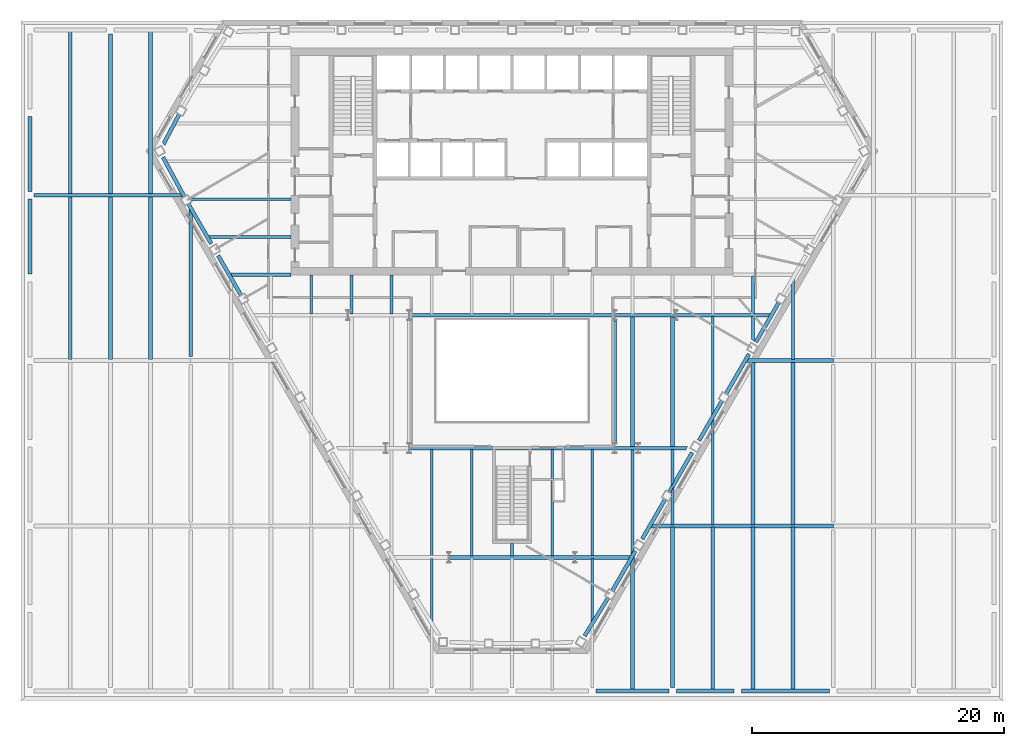
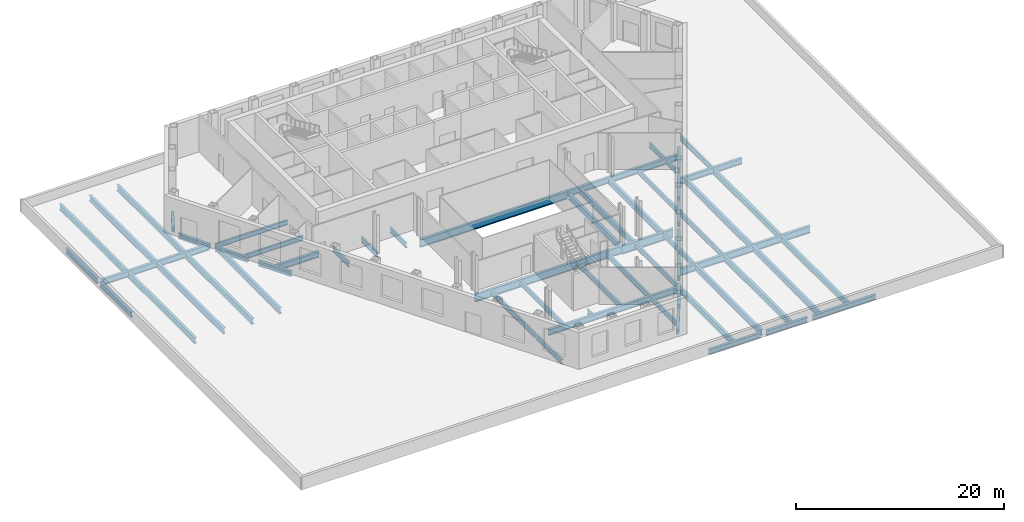
# One storey, part 3 of 14: 65 beams.
"""IFC4 building model written with IfcOpenShell, lengths in metres."""

from ifc_helpers import new_model, si_unit, direction, frame, origin, origin_2d, place, context, subcontext, project, spatial, i_section, extrude, clip, halfspace, material, material_profile, profile_set, type_object, element, save


model = new_model("IFC4")

# Units and contexts
model_context = context("Model", 3, precision=1e-05, world=origin(), true_north=direction((0.0, 1.0)))
body_context = subcontext(model_context, "Body", "Model", "MODEL_VIEW")
ifc_project = project(units=[si_unit("LENGTHUNIT", "METRE"), si_unit("AREAUNIT", "SQUARE_METRE"), si_unit("VOLUMEUNIT", "CUBIC_METRE"), si_unit("PLANEANGLEUNIT", "RADIAN"), si_unit("MASSUNIT", "GRAM", prefix="KILO")], contexts=[model_context])

# Site, building, storey
site_placement = place(None, origin())
site = spatial("IfcSite", under=ifc_project, at=site_placement, CompositionType="ELEMENT")
building_placement = place(site_placement, origin())
building = spatial("IfcBuilding", under=site, at=building_placement, Name="Njiva Tower", CompositionType="ELEMENT")
storey_placement = place(building_placement, frame((0.0, 0.0, 28.8)))
storey = spatial("IfcBuildingStorey", under=building, at=storey_placement, Name="L05", CompositionType="ELEMENT", Elevation=28.8)

# Beams
ifc_material = material(Name="Steel S355 J2", Category="steel")
ifc_material_profile_1 = material_profile(ifc_material, i_section(OverallWidth=0.21, OverallDepth=0.55, WebThickness=0.0111, FlangeThickness=0.0172, at=origin_2d()), Name="IPE 550")
ifc_profile_set_1 = profile_set([ifc_material_profile_1], Name="Steel S355 J2")
beam_type_1 = type_object("IfcBeamType", Name="B10 Floor beam to the core IPE 550", PredefinedType="BEAM", material=ifc_profile_set_1)
beam_1_placement = place(storey_placement, frame((-24.111, 3.0, -0.525), z_axis=(1.0, 0.0, 0.0), x_axis=(0.0, 1.0, 0.0)))
element("IfcBeam", 1, at=beam_1_placement, inside=storey, type_object=beam_type_1, Name="Floor beam to the core S01-B005", PredefinedType="BEAM", context=body_context, shape_type="Clipping", body=[
    clip(extrude(i_section(OverallWidth=0.21, OverallDepth=0.55, WebThickness=0.0111, FlangeThickness=0.0172, at=origin_2d()), origin(), (0.0, 0.0, 1.0), 6.611), halfspace(frame((-0.025, 0.0, 0.0951), z_axis=(-0.499998009787, 0.0, -0.866026552831), x_axis=(0.0, -1.0, 0.0)), False)),
])
beam_2_placement = place(storey_placement, frame((-25.612, 6.0, -0.525), z_axis=(1.0, 0.0, 0.0), x_axis=(0.0, 1.0, 0.0)))
element("IfcBeam", 2, at=beam_2_placement, inside=storey, type_object=beam_type_1, Name="Floor beam to the core S01-B003", PredefinedType="BEAM", context=body_context, shape_type="Clipping", body=[
    clip(extrude(i_section(OverallWidth=0.21, OverallDepth=0.55, WebThickness=0.0111, FlangeThickness=0.0172, at=origin_2d()), origin(), (0.0, 0.0, 1.0), 8.112), halfspace(frame((-0.025, 0.0, 0.0954), z_axis=(-0.499998009787, 0.0, -0.866026552831), x_axis=(0.0, -1.0, 0.0)), False)),
])
ifc_material_profile_2 = material_profile(ifc_material, i_section(OverallWidth=0.3, OverallDepth=0.69, WebThickness=0.0145, FlangeThickness=0.027, at=origin_2d()), Name="HEA 700")
ifc_profile_set_2 = profile_set([ifc_material_profile_2], Name="Steel S355 J2")
beam_type_2 = type_object("IfcBeamType", Name="B12 Long-span floor joist HEA 700", PredefinedType="JOIST", material=ifc_profile_set_2)
for number, where, z_axis, x_axis, name in (
    (3, (-35.017, 19.3, -0.595), (0.0, -1.0, 0.0), (1.0, 0.0, 0.0), "Long-span floor joist S01-B039"),
    (4, (-35.017, 6.2, -0.595), (0.0, -1.0, 0.0), (1.0, 0.0, 0.0), "Long-span floor joist S01-B038"),
):
    element("IfcBeam", number, at=place(storey_placement, frame(where, z_axis=z_axis, x_axis=x_axis)), inside=storey, type_object=beam_type_2, Name=name, PredefinedType="JOIST", context=body_context, shape_type="SweptSolid", body=[
        extrude(i_section(OverallWidth=0.3, OverallDepth=0.69, WebThickness=0.0145, FlangeThickness=0.027, at=origin_2d()), origin(), (0.0, 0.0, 1.0), 12.9),
    ])
beam_3_placement = place(storey_placement, frame((-31.833, 19.1, -0.595), z_axis=(0.0, -1.0, 0.0), x_axis=(1.0, 0.0, 0.0)))
element("IfcBeam", 5, at=beam_3_placement, inside=storey, type_object=beam_type_2, Name="Long-span floor joist S01-B043", PredefinedType="JOIST", context=body_context, shape_type="SweptSolid", body=[
    extrude(i_section(OverallWidth=0.3, OverallDepth=0.69, WebThickness=0.0145, FlangeThickness=0.027, at=origin_2d()), origin(), (0.0, 0.0, 1.0), 12.7),
])
for number, where, z_axis, x_axis, name in (
    (6, (-31.833, 6.2, -0.595), (0.0, -1.0, 0.0), (1.0, 0.0, 0.0), "Long-span floor joist S01-B042"),
    (7, (-28.65, 19.3, -0.595), (0.0, -1.0, 0.0), (1.0, 0.0, 0.0), "Long-span floor joist S01-B047"),
    (8, (-28.65, 6.2, -0.595), (0.0, -1.0, 0.0), (1.0, 0.0, 0.0), "Long-span floor joist S01-B046"),
):
    element("IfcBeam", number, at=place(storey_placement, frame(where, z_axis=z_axis, x_axis=x_axis)), inside=storey, type_object=beam_type_2, Name=name, PredefinedType="JOIST", context=body_context, shape_type="SweptSolid", body=[
        extrude(i_section(OverallWidth=0.3, OverallDepth=0.69, WebThickness=0.0145, FlangeThickness=0.027, at=origin_2d()), origin(), (0.0, 0.0, 1.0), 12.9),
    ])
beam_4_placement = place(storey_placement, frame((-25.467, 5.299, -0.595), z_axis=(0.0, -1.0, 0.0), x_axis=(1.0, 0.0, 0.0)))
element("IfcBeam", 9, at=beam_4_placement, inside=storey, type_object=beam_type_2, Name="Long-span floor joist S01-B050", PredefinedType="JOIST", context=body_context, shape_type="Clipping", body=[
    clip(extrude(i_section(OverallWidth=0.3, OverallDepth=0.69, WebThickness=0.0145, FlangeThickness=0.027, at=origin_2d()), origin(), (0.0, 0.0, 1.0), 11.791), halfspace(frame((0.0436, 0.0, 0.2862), z_axis=(0.866026552831, 0.0, -0.499998009787), x_axis=(0.0, -1.0, 0.0)), False)),
])
beam_5_placement = place(storey_placement, frame((9.55, -3.3, -0.595), z_axis=(0.0, -1.0, 0.0), x_axis=(1.0, 0.0, 0.0)))
element("IfcBeam", 10, at=beam_5_placement, inside=storey, type_object=beam_type_2, Name="Long-span floor joist S01-B094", PredefinedType="JOIST", context=body_context, shape_type="SweptSolid", body=[
    extrude(i_section(OverallWidth=0.3, OverallDepth=0.69, WebThickness=0.0145, FlangeThickness=0.027, at=origin_2d()), origin(), (0.0, 0.0, 1.0), 10.349),
])
beam_6_placement = place(storey_placement, frame((9.55, -22.27, -0.595), z_axis=(0.0, -1.0, 0.0), x_axis=(1.0, 0.0, 0.0)))
element("IfcBeam", 11, at=beam_6_placement, inside=storey, type_object=beam_type_2, Name="Long-span floor joist S01-B092", PredefinedType="JOIST", context=body_context, shape_type="Clipping", body=[
    clip(extrude(i_section(OverallWidth=0.3, OverallDepth=0.69, WebThickness=0.0145, FlangeThickness=0.027, at=origin_2d()), origin(), (0.0, 0.0, 1.0), 10.63), halfspace(frame((-0.0433, 0.0, 0.2857), z_axis=(-0.866026552831, 0.0, -0.499998009787), x_axis=(0.0, -1.0, 0.0)), False)),
])
beam_7_placement = place(storey_placement, frame((12.733, -3.3, -0.595), z_axis=(0.0, -1.0, 0.0), x_axis=(1.0, 0.0, 0.0)))
element("IfcBeam", 12, at=beam_7_placement, inside=storey, type_object=beam_type_2, Name="Long-span floor joist S01-B099", PredefinedType="JOIST", context=body_context, shape_type="SweptSolid", body=[
    extrude(i_section(OverallWidth=0.3, OverallDepth=0.69, WebThickness=0.0145, FlangeThickness=0.027, at=origin_2d()), origin(), (0.0, 0.0, 1.0), 10.349),
])
beam_8_placement = place(storey_placement, frame((12.733, -20.001, -0.595), z_axis=(0.0, -1.0, 0.0), x_axis=(1.0, 0.0, 0.0)))
element("IfcBeam", 13, at=beam_8_placement, inside=storey, type_object=beam_type_2, Name="Long-span floor joist S01-B096", PredefinedType="JOIST", context=body_context, shape_type="SweptSolid", body=[
    extrude(i_section(OverallWidth=0.3, OverallDepth=0.69, WebThickness=0.0145, FlangeThickness=0.027, at=origin_2d()), origin(), (0.0, 0.0, 1.0), 12.699),
])
for number, where, z_axis, x_axis, name in (
    (14, (15.917, -20.001, -0.595), (0.0, -1.0, 0.0), (1.0, 0.0, 0.0), "Long-span floor joist S01-B101"),
    (15, (19.1, -6.9, -0.595), (0.0, -1.0, 0.0), (1.0, 0.0, 0.0), "Long-span floor joist S01-B106"),
    (16, (19.1, -20.001, -0.595), (0.0, -1.0, 0.0), (1.0, 0.0, 0.0), "Long-span floor joist S01-B105"),
    (17, (22.283, -6.9, -0.595), (0.0, -1.0, 0.0), (1.0, 0.0, 0.0), "Long-span floor joist S01-B110"),
    (18, (22.283, -20.001, -0.595), (0.0, -1.0, 0.0), (1.0, 0.0, 0.0), "Long-span floor joist S01-B109"),
):
    element("IfcBeam", number, at=place(storey_placement, frame(where, z_axis=z_axis, x_axis=x_axis)), inside=storey, type_object=beam_type_2, Name=name, PredefinedType="JOIST", context=body_context, shape_type="SweptSolid", body=[
        extrude(i_section(OverallWidth=0.3, OverallDepth=0.69, WebThickness=0.0145, FlangeThickness=0.027, at=origin_2d()), origin(), (0.0, 0.0, 1.0), 12.899),
    ])
ifc_material_profile_3 = material_profile(ifc_material, i_section(OverallWidth=0.22, OverallDepth=0.6, WebThickness=0.012, FlangeThickness=0.019, at=origin_2d()), Name="IPE 600")
ifc_profile_set_3 = profile_set([ifc_material_profile_3], Name="Steel S355 J2")
beam_type_3 = type_object("IfcBeamType", Name="B13 Floor joist IPE 600", PredefinedType="JOIST", material=ifc_profile_set_3)
beam_9_placement = place(storey_placement, frame((-6.367, -13.851, -0.55), z_axis=(0.0, -1.0, 0.0), x_axis=(1.0, 0.0, 0.0)))
element("IfcBeam", 19, at=beam_9_placement, inside=storey, type_object=beam_type_3, Name="Floor joist S01-B074", PredefinedType="JOIST", context=body_context, shape_type="SweptSolid", body=[
    extrude(i_section(OverallWidth=0.22, OverallDepth=0.6, WebThickness=0.012, FlangeThickness=0.019, at=origin_2d()), origin(), (0.0, 0.0, 1.0), 8.449),
])
beam_10_placement = place(storey_placement, frame((-6.367, -22.5, -0.55), z_axis=(0.0, -1.0, 0.0), x_axis=(1.0, 0.0, 0.0)))
element("IfcBeam", 20, at=beam_10_placement, inside=storey, type_object=beam_type_3, Name="Floor joist S01-B073", PredefinedType="JOIST", context=body_context, shape_type="Clipping", body=[
    clip(extrude(i_section(OverallWidth=0.22, OverallDepth=0.6, WebThickness=0.012, FlangeThickness=0.019, at=origin_2d()), origin(), (0.0, 0.0, 1.0), 5.139), halfspace(frame((-0.0422, 0.0, 4.8726), z_axis=(-0.850620428373, 0.0, 0.525780264783), x_axis=(0.0, 1.0, 0.0)), False)),
])
for number, where, z_axis, x_axis, name in (
    (21, (-3.183, -13.851, -0.55), (0.0, -1.0, 0.0), (1.0, 0.0, 0.0), "Floor joist S01-B078"),
    (22, (3.183, -13.851, -0.55), (0.0, -1.0, 0.0), (1.0, 0.0, 0.0), "Floor joist S01-B086"),
    (23, (6.367, -13.851, -0.55), (0.0, -1.0, 0.0), (1.0, 0.0, 0.0), "Floor joist S01-B090"),
):
    element("IfcBeam", number, at=place(storey_placement, frame(where, z_axis=z_axis, x_axis=x_axis)), inside=storey, type_object=beam_type_3, Name=name, PredefinedType="JOIST", context=body_context, shape_type="SweptSolid", body=[
        extrude(i_section(OverallWidth=0.22, OverallDepth=0.6, WebThickness=0.012, FlangeThickness=0.019, at=origin_2d()), origin(), (0.0, 0.0, 1.0), 8.449),
    ])
beam_11_placement = place(storey_placement, frame((6.367, -22.5, -0.55), z_axis=(0.0, -1.0, 0.0), x_axis=(1.0, 0.0, 0.0)))
element("IfcBeam", 24, at=beam_11_placement, inside=storey, type_object=beam_type_3, Name="Floor joist S01-B089", PredefinedType="JOIST", context=body_context, shape_type="Clipping", body=[
    clip(extrude(i_section(OverallWidth=0.22, OverallDepth=0.6, WebThickness=0.012, FlangeThickness=0.019, at=origin_2d()), origin(), (0.0, 0.0, 1.0), 5.139), halfspace(frame((0.0422, 0.0, 4.8726), z_axis=(0.850620428373, 0.0, 0.525780264783), x_axis=(0.0, 1.0, 0.0)), False)),
])
beam_12_placement = place(storey_placement, frame((9.55, -13.851, -0.55), z_axis=(0.0, -1.0, 0.0), x_axis=(1.0, 0.0, 0.0)))
element("IfcBeam", 25, at=beam_12_placement, inside=storey, type_object=beam_type_3, Name="Floor joist S01-B093", PredefinedType="JOIST", context=body_context, shape_type="Clipping", body=[
    clip(extrude(i_section(OverallWidth=0.22, OverallDepth=0.6, WebThickness=0.012, FlangeThickness=0.019, at=origin_2d()), origin(), (0.0, 0.0, 1.0), 8.441), halfspace(frame((0.0433, 0.0, 8.1547), z_axis=(0.866026552831, 0.0, 0.499998009787), x_axis=(0.0, 1.0, 0.0)), False)),
])
beam_13_placement = place(storey_placement, frame((15.917, -3.3, -0.55), z_axis=(0.0, -1.0, 0.0), x_axis=(1.0, 0.0, 0.0)))
element("IfcBeam", 26, at=beam_13_placement, inside=storey, type_object=beam_type_3, Name="Floor joist S01-B103", PredefinedType="JOIST", context=body_context, shape_type="Clipping", body=[
    clip(extrude(i_section(OverallWidth=0.22, OverallDepth=0.6, WebThickness=0.012, FlangeThickness=0.019, at=origin_2d()), origin(), (0.0, 0.0, 1.0), 7.964), halfspace(frame((0.043, 0.0, 7.6783), z_axis=(0.866026552831, 0.0, 0.499998009787), x_axis=(0.0, 1.0, 0.0)), False)),
])
beam_14_placement = place(storey_placement, frame((15.917, -11.242, -0.55), z_axis=(0.0, -1.0, 0.0), x_axis=(1.0, 0.0, 0.0)))
element("IfcBeam", 27, at=beam_14_placement, inside=storey, type_object=beam_type_3, Name="Floor joist S01-B102", PredefinedType="JOIST", context=body_context, shape_type="Clipping", body=[
    clip(extrude(i_section(OverallWidth=0.22, OverallDepth=0.6, WebThickness=0.012, FlangeThickness=0.019, at=origin_2d()), origin(), (0.0, 0.0, 1.0), 8.557), halfspace(frame((-0.0436, 0.0, 0.2863), z_axis=(-0.866026552831, 0.0, -0.499998009787), x_axis=(0.0, -1.0, 0.0)), False)),
])
beam_15_placement = place(storey_placement, frame((22.283, -0.215, -0.55), z_axis=(0.0, -1.0, 0.0), x_axis=(1.0, 0.0, 0.0)))
element("IfcBeam", 28, at=beam_15_placement, inside=storey, type_object=beam_type_3, Name="Floor joist S01-B111", PredefinedType="JOIST", context=body_context, shape_type="Clipping", body=[
    clip(extrude(i_section(OverallWidth=0.22, OverallDepth=0.6, WebThickness=0.012, FlangeThickness=0.019, at=origin_2d()), origin(), (0.0, 0.0, 1.0), 6.485), halfspace(frame((-0.043, 0.0, 0.2859), z_axis=(-0.866026552831, 0.0, -0.499998009787), x_axis=(0.0, -1.0, 0.0)), False)),
])
ifc_material_profile_4 = material_profile(ifc_material, i_section(OverallWidth=0.22, OverallDepth=0.6, WebThickness=0.012, FlangeThickness=0.019, at=origin_2d()), Name="IPE 600")
ifc_profile_set_4 = profile_set([ifc_material_profile_4], Name="Steel S355 J2")
beam_type_4 = type_object("IfcBeamType", Name="B14 Short-span floor joist IPE 600", PredefinedType="JOIST", material=ifc_profile_set_4)
for number, where, z_axis, x_axis, name in (
    (29, (-15.917, -0.005, -0.55), (0.0, -1.0, 0.0), (1.0, 0.0, 0.0), "Short-span floor joist S01-B062"),
    (30, (-12.733, -0.005, -0.55), (0.0, -1.0, 0.0), (1.0, 0.0, 0.0), "Short-span floor joist S01-B067"),
    (31, (-9.55, -0.005, -0.55), (0.0, -1.0, 0.0), (1.0, 0.0, 0.0), "Short-span floor joist S01-B071"),
):
    element("IfcBeam", number, at=place(storey_placement, frame(where, z_axis=z_axis, x_axis=x_axis)), inside=storey, type_object=beam_type_4, Name=name, PredefinedType="JOIST", context=body_context, shape_type="SweptSolid", body=[
        extrude(i_section(OverallWidth=0.22, OverallDepth=0.6, WebThickness=0.012, FlangeThickness=0.019, at=origin_2d()), origin(), (0.0, 0.0, 1.0), 3.095),
    ])
beam_16_placement = place(storey_placement, frame((0.0, -21.3, -0.55), z_axis=(0.0, -1.0, 0.0), x_axis=(1.0, 0.0, 0.0)))
element("IfcBeam", 32, at=beam_16_placement, inside=storey, type_object=beam_type_4, Name="Short-span floor joist S01-B082", PredefinedType="JOIST", context=body_context, shape_type="SweptSolid", body=[
    extrude(i_section(OverallWidth=0.22, OverallDepth=0.6, WebThickness=0.012, FlangeThickness=0.019, at=origin_2d()), origin(), (0.0, 0.0, 1.0), 1.0),
])
beam_17_placement = place(storey_placement, frame((12.733, -13.851, -0.55), z_axis=(0.0, -1.0, 0.0), x_axis=(1.0, 0.0, 0.0)))
element("IfcBeam", 33, at=beam_17_placement, inside=storey, type_object=beam_type_4, Name="Short-span floor joist S01-B098", PredefinedType="JOIST", context=body_context, shape_type="Clipping", body=[
    clip(extrude(i_section(OverallWidth=0.22, OverallDepth=0.6, WebThickness=0.012, FlangeThickness=0.019, at=origin_2d()), origin(), (0.0, 0.0, 1.0), 2.927), halfspace(frame((0.0436, 0.0, 2.641), z_axis=(0.866026552831, 0.0, 0.499998009787), x_axis=(0.0, 1.0, 0.0)), False)),
])
beam_18_placement = place(storey_placement, frame((12.733, -16.756, -0.55), z_axis=(0.0, -1.0, 0.0), x_axis=(1.0, 0.0, 0.0)))
element("IfcBeam", 34, at=beam_18_placement, inside=storey, type_object=beam_type_4, Name="Short-span floor joist S01-B097", PredefinedType="JOIST", context=body_context, shape_type="Clipping", body=[
    clip(extrude(i_section(OverallWidth=0.22, OverallDepth=0.6, WebThickness=0.012, FlangeThickness=0.019, at=origin_2d()), origin(), (0.0, 0.0, 1.0), 3.043), halfspace(frame((-0.043, 0.0, 0.286), z_axis=(-0.866026552831, 0.0, -0.499998009787), x_axis=(0.0, -1.0, 0.0)), False)),
])
beam_19_placement = place(storey_placement, frame((19.1, -0.1, -0.55), z_axis=(0.0, -1.0, 0.0), x_axis=(1.0, 0.0, 0.0)))
element("IfcBeam", 35, at=beam_19_placement, inside=storey, type_object=beam_type_4, Name="Short-span floor joist S01-B108", PredefinedType="JOIST", context=body_context, shape_type="SweptSolid", body=[
    extrude(i_section(OverallWidth=0.22, OverallDepth=0.6, WebThickness=0.012, FlangeThickness=0.019, at=origin_2d()), origin(), (0.0, 0.0, 1.0), 3.0),
])
beam_20_placement = place(storey_placement, frame((19.1, -3.3, -0.55), z_axis=(0.0, -1.0, 0.0), x_axis=(1.0, 0.0, 0.0)))
element("IfcBeam", 36, at=beam_20_placement, inside=storey, type_object=beam_type_4, Name="Short-span floor joist S01-B107", PredefinedType="JOIST", context=body_context, shape_type="Clipping", body=[
    clip(extrude(i_section(OverallWidth=0.22, OverallDepth=0.6, WebThickness=0.012, FlangeThickness=0.019, at=origin_2d()), origin(), (0.0, 0.0, 1.0), 1.978), halfspace(frame((-0.025, 0.0, 1.88), z_axis=(-0.499998009787, 0.0, 0.866026552831), x_axis=(0.0, 1.0, 0.0)), False)),
])
ifc_material_profile_5 = material_profile(ifc_material, i_section(OverallWidth=0.3, OverallDepth=0.69, WebThickness=0.0145, FlangeThickness=0.027, at=origin_2d()), Name="HEA 700")
ifc_profile_set_5 = profile_set([ifc_material_profile_5], Name="Steel S355 J2")
beam_type_5 = type_object("IfcBeamType", Name="B15 Floor girder HEA 700", PredefinedType="BEAM", material=ifc_profile_set_5)
beam_21_placement = place(storey_placement, frame((8.15, -3.2, -0.595), z_axis=(1.0, 0.0, 0.0), x_axis=(0.0, 1.0, 0.0)))
element("IfcBeam", 37, at=beam_21_placement, inside=storey, type_object=beam_type_5, Name="Floor girder S01-B027", PredefinedType="BEAM", context=body_context, shape_type="SweptSolid", body=[
    extrude(i_section(OverallWidth=0.3, OverallDepth=0.69, WebThickness=0.0145, FlangeThickness=0.027, at=origin_2d()), origin(), (0.0, 0.0, 1.0), 4.85),
])
beam_22_placement = place(storey_placement, frame((13.0, -3.2, -0.595), z_axis=(1.0, 0.0, 0.0), x_axis=(0.0, 1.0, 0.0)))
element("IfcBeam", 38, at=beam_22_placement, inside=storey, type_object=beam_type_5, Name="Floor girder S01-B030", PredefinedType="BEAM", context=body_context, shape_type="Clipping", body=[
    clip(extrude(i_section(OverallWidth=0.3, OverallDepth=0.69, WebThickness=0.0145, FlangeThickness=0.027, at=origin_2d()), origin(), (0.0, 0.0, 1.0), 7.558), halfspace(frame((-0.025, 0.0, 7.4363), z_axis=(-0.499998009787, 0.0, 0.866026552831), x_axis=(0.0, 1.0, 0.0)), False)),
])
beam_23_placement = place(storey_placement, frame((-22.405, 0.0, -0.595), z_axis=(1.0, 0.0, 0.0), x_axis=(0.0, 1.0, 0.0)))
element("IfcBeam", 39, at=beam_23_placement, inside=storey, type_object=beam_type_5, Name="Floor girder S01-B018", PredefinedType="BEAM", context=body_context, shape_type="Clipping", body=[
    clip(extrude(i_section(OverallWidth=0.3, OverallDepth=0.69, WebThickness=0.0145, FlangeThickness=0.027, at=origin_2d()), origin(), (0.0, 0.0, 1.0), 4.905), halfspace(frame((-0.025, 0.0, 0.1211), z_axis=(-0.499998009787, 0.0, -0.866026552831), x_axis=(0.0, -1.0, 0.0)), False)),
])
beam_24_placement = place(storey_placement, frame((18.496, -6.8, -0.595), z_axis=(1.0, 0.0, 0.0), x_axis=(0.0, 1.0, 0.0)))
element("IfcBeam", 40, at=beam_24_placement, inside=storey, type_object=beam_type_5, Name="Floor girder S01-B032", PredefinedType="BEAM", context=body_context, shape_type="Clipping", body=[
    clip(extrude(i_section(OverallWidth=0.3, OverallDepth=0.69, WebThickness=0.0145, FlangeThickness=0.027, at=origin_2d()), origin(), (0.0, 0.0, 1.0), 6.971), halfspace(frame((0.025, 0.0, 0.1217), z_axis=(0.499998009787, 0.0, -0.866026552831), x_axis=(0.0, -1.0, 0.0)), False)),
])
ifc_material_profile_6 = material_profile(ifc_material, i_section(OverallWidth=0.3, OverallDepth=0.69, WebThickness=0.0145, FlangeThickness=0.027, at=origin_2d()), Name="HEA 700")
ifc_profile_set_6 = profile_set([ifc_material_profile_6], Name="Steel S355 J2")
beam_type_6 = type_object("IfcBeamType", Name="B16 Short-span floor girder HEA 700", PredefinedType="BEAM", material=ifc_profile_set_6)
beam_25_placement = place(storey_placement, frame((5.0, -22.4, -0.595), z_axis=(1.0, 0.0, 0.0), x_axis=(0.0, 1.0, 0.0)))
element("IfcBeam", 41, at=beam_25_placement, inside=storey, type_object=beam_type_6, Name="Short-span floor girder S01-B025", PredefinedType="BEAM", context=body_context, shape_type="Clipping", body=[
    clip(extrude(i_section(OverallWidth=0.3, OverallDepth=0.69, WebThickness=0.0145, FlangeThickness=0.027, at=origin_2d()), origin(), (0.0, 0.0, 1.0), 4.473), halfspace(frame((-0.025, 0.0, 4.3512), z_axis=(-0.499998009787, 0.0, 0.866026552831), x_axis=(0.0, 1.0, 0.0)), False)),
])
ifc_material_profile_7 = material_profile(ifc_material, i_section(OverallWidth=0.3, OverallDepth=0.69, WebThickness=0.0145, FlangeThickness=0.027, at=origin_2d()), Name="HEA 700")
ifc_profile_set_7 = profile_set([ifc_material_profile_7], Name="Steel S355 J2")
beam_type_7 = type_object("IfcBeamType", Name="B17 Long-span floor girder HEA 700", PredefinedType="BEAM", material=ifc_profile_set_7)
beam_26_placement = place(storey_placement, frame((-5.0, -22.4, -0.595), z_axis=(1.0, 0.0, 0.0), x_axis=(0.0, 1.0, 0.0)))
element("IfcBeam", 42, at=beam_26_placement, inside=storey, type_object=beam_type_7, Name="Long-span floor girder S01-B024", PredefinedType="BEAM", context=body_context, shape_type="SweptSolid", body=[
    extrude(i_section(OverallWidth=0.3, OverallDepth=0.69, WebThickness=0.0145, FlangeThickness=0.027, at=origin_2d()), origin(), (0.0, 0.0, 1.0), 10.0),
])
beam_27_placement = place(storey_placement, frame((-37.9, 6.3, -0.595), z_axis=(1.0, 0.0, 0.0), x_axis=(0.0, 1.0, 0.0)))
element("IfcBeam", 43, at=beam_27_placement, inside=storey, type_object=beam_type_7, Name="Long-span floor girder S01-B015", PredefinedType="BEAM", context=body_context, shape_type="Clipping", body=[
    clip(extrude(i_section(OverallWidth=0.3, OverallDepth=0.69, WebThickness=0.0145, FlangeThickness=0.027, at=origin_2d()), origin(), (0.0, 0.0, 1.0), 11.852), halfspace(frame((0.0237, 0.0, 11.7382), z_axis=(0.473769423091, 0.0, 0.880648927634), x_axis=(0.0, 1.0, 0.0)), False)),
])
ifc_material_profile_8 = material_profile(ifc_material, i_section(OverallWidth=0.3, OverallDepth=0.69, WebThickness=0.0145, FlangeThickness=0.027, at=origin_2d()), Name="HEA 700")
ifc_profile_set_8 = profile_set([ifc_material_profile_8], Name="Steel S355 J2")
beam_type_8 = type_object("IfcBeamType", Name="B18 Long-span atrium trimmer beam HEA 700", PredefinedType="BEAM", material=ifc_profile_set_8)
beam_28_placement = place(storey_placement, frame((8.15, -13.296, -0.595), z_axis=(0.0, 1.0, 0.0), x_axis=(-1.0, 0.0, 0.0)))
element("IfcBeam", 44, at=beam_28_placement, inside=storey, type_object=beam_type_8, Name="Long-span atrium trimmer beam S01-B131", PredefinedType="BEAM", context=body_context, shape_type="SweptSolid", body=[
    extrude(i_section(OverallWidth=0.3, OverallDepth=0.69, WebThickness=0.0145, FlangeThickness=0.027, at=origin_2d()), origin(), (0.0, 0.0, 1.0), 9.642),
])
ifc_material_profile_9 = material_profile(ifc_material, i_section(OverallWidth=0.3, OverallDepth=0.6, WebThickness=0.0155, FlangeThickness=0.03, at=origin_2d()), Name="HEB 600")
ifc_profile_set_9 = profile_set([ifc_material_profile_9], Name="Steel S355 J2")
beam_type_9 = type_object("IfcBeamType", Name="B2 Spandrel beam HEB 600", PredefinedType="SPANDREL", material=ifc_profile_set_9)
for number, where, z_axis, x_axis, name in (
    (45, (-38.2, 12.55, -0.55), (0.0, -1.0, 0.0), (1.0, 0.0, 0.0), "Spandrel beam S01-B138"),
    (46, (-38.2, 6.0, -0.55), (0.0, -1.0, 0.0), (1.0, 0.0, 0.0), "Spandrel beam S01-B137"),
):
    element("IfcBeam", number, at=place(storey_placement, frame(where, z_axis=z_axis, x_axis=x_axis)), inside=storey, type_object=beam_type_9, Name=name, PredefinedType="SPANDREL", context=body_context, shape_type="SweptSolid", body=[
        extrude(i_section(OverallWidth=0.3, OverallDepth=0.6, WebThickness=0.0155, FlangeThickness=0.03, at=origin_2d()), origin(), (0.0, 0.0, 1.0), 5.95),
    ])
beam_29_placement = place(storey_placement, frame((6.667, -33.0, -0.55), z_axis=(1.0, 0.0, 0.0), x_axis=(0.0, 1.0, 0.0)))
element("IfcBeam", 47, at=beam_29_placement, inside=storey, type_object=beam_type_9, Name="Spandrel beam S01-B175", PredefinedType="SPANDREL", context=body_context, shape_type="SweptSolid", body=[
    extrude(i_section(OverallWidth=0.3, OverallDepth=0.6, WebThickness=0.0155, FlangeThickness=0.03, at=origin_2d()), origin(), (0.0, 0.0, 1.0), 5.766),
])
beam_30_placement = place(storey_placement, frame((13.033, -33.0, -0.55), z_axis=(1.0, 0.0, 0.0), x_axis=(0.0, 1.0, 0.0)))
element("IfcBeam", 48, at=beam_30_placement, inside=storey, type_object=beam_type_9, Name="Spandrel beam S01-B181", PredefinedType="SPANDREL", context=body_context, shape_type="SweptSolid", body=[
    extrude(i_section(OverallWidth=0.3, OverallDepth=0.6, WebThickness=0.0155, FlangeThickness=0.03, at=origin_2d()), origin(), (0.0, 0.0, 1.0), 4.567),
])
beam_31_placement = place(storey_placement, frame((18.2, -33.0, -0.55), z_axis=(1.0, 0.0, 0.0), x_axis=(0.0, 1.0, 0.0)))
element("IfcBeam", 49, at=beam_31_placement, inside=storey, type_object=beam_type_9, Name="Spandrel beam S01-B185", PredefinedType="SPANDREL", context=body_context, shape_type="SweptSolid", body=[
    extrude(i_section(OverallWidth=0.3, OverallDepth=0.6, WebThickness=0.0155, FlangeThickness=0.03, at=origin_2d()), origin(), (0.0, 0.0, 1.0), 6.967),
])
ifc_material_profile_10 = material_profile(ifc_material, i_section(OverallWidth=0.3, OverallDepth=0.6, WebThickness=0.0155, FlangeThickness=0.03, at=origin_2d()), Name="HEB 600")
ifc_profile_set_10 = profile_set([ifc_material_profile_10], Name="Steel S355 J2")
beam_type_10 = type_object("IfcBeamType", Name="B3 Short-span spandrel beam HEB 600", PredefinedType="SPANDREL", material=ifc_profile_set_10)
beam_32_placement = place(storey_placement, frame((-26.373, 12.736, -0.55), z_axis=(-0.467663520649, -0.88390657394, 0.0), x_axis=(0.88390657394, -0.467663520649, 0.0)))
element("IfcBeam", 50, at=beam_32_placement, inside=storey, type_object=beam_type_10, Name="Short-span spandrel beam S01-B145", PredefinedType="SPANDREL", context=body_context, shape_type="Clipping", body=[
    clip(extrude(i_section(OverallWidth=0.3, OverallDepth=0.6, WebThickness=0.0155, FlangeThickness=0.03, at=origin_2d()), origin(), (0.0, 0.0, 1.0), 2.7783), halfspace(frame((-0.0266, 0.0, 2.6473), z_axis=(-0.53165573368, 0.0, 0.84696055448), x_axis=(0.0, 1.0, 0.0)), False)),
])
beam_33_placement = place(storey_placement, frame((-27.66, 9.32, -0.55), z_axis=(0.473749565023, -0.880659610542, 0.0), x_axis=(0.880659610542, 0.473749565023, 0.0)))
element("IfcBeam", 51, at=beam_33_placement, inside=storey, type_object=beam_type_10, Name="Short-span spandrel beam S01-B144", PredefinedType="SPANDREL", context=body_context, shape_type="SweptSolid", body=[
    extrude(i_section(OverallWidth=0.3, OverallDepth=0.6, WebThickness=0.0155, FlangeThickness=0.03, at=origin_2d()), origin(), (0.0, 0.0, 1.0), 3.5757),
])
beam_34_placement = place(storey_placement, frame((-25.672, 5.644, -0.55), z_axis=(0.499903946755, -0.866080853049, 0.0), x_axis=(0.866080853049, 0.499903946755, 0.0)))
element("IfcBeam", 52, at=beam_34_placement, inside=storey, type_object=beam_type_10, Name="Short-span spandrel beam S01-B147", PredefinedType="SPANDREL", context=body_context, shape_type="SweptSolid", body=[
    extrude(i_section(OverallWidth=0.3, OverallDepth=0.6, WebThickness=0.0155, FlangeThickness=0.03, at=origin_2d()), origin(), (0.0, 0.0, 1.0), 3.6567),
])
beam_35_placement = place(storey_placement, frame((-23.294, 1.524, -0.55), z_axis=(0.500109033781, -0.865962443949, 0.0), x_axis=(0.865962443949, 0.500109033781, 0.0)))
element("IfcBeam", 53, at=beam_35_placement, inside=storey, type_object=beam_type_10, Name="Short-span spandrel beam S01-B151", PredefinedType="SPANDREL", context=body_context, shape_type="SweptSolid", body=[
    extrude(i_section(OverallWidth=0.3, OverallDepth=0.6, WebThickness=0.0155, FlangeThickness=0.03, at=origin_2d()), origin(), (0.0, 0.0, 1.0), 3.6572),
])
beam_36_placement = place(storey_placement, frame((5.753, -28.625, -0.55), z_axis=(0.52564176664, 0.850706020411, 0.0), x_axis=(-0.850706020411, 0.52564176664, 0.0)))
element("IfcBeam", 54, at=beam_36_placement, inside=storey, type_object=beam_type_10, Name="Short-span spandrel beam S01-B174", PredefinedType="SPANDREL", context=body_context, shape_type="SweptSolid", body=[
    extrude(i_section(OverallWidth=0.3, OverallDepth=0.6, WebThickness=0.0155, FlangeThickness=0.03, at=origin_2d()), origin(), (0.0, 0.0, 1.0), 3.5747),
])
for number, where, z_axis, x_axis, name in (
    (55, (7.942, -25.066, -0.55), (0.499990639951, 0.866030807744, 0.0), (-0.866030807744, 0.499990639951, 0.0), "Short-span spandrel beam S01-B177"),
    (56, (10.321, -20.946, -0.55), (0.499990639951, 0.866030807744, 0.0), (-0.866030807744, 0.499990639951, 0.0), "Short-span spandrel beam S01-B179"),
):
    element("IfcBeam", number, at=place(storey_placement, frame(where, z_axis=z_axis, x_axis=x_axis)), inside=storey, type_object=beam_type_10, Name=name, PredefinedType="SPANDREL", context=body_context, shape_type="SweptSolid", body=[
        extrude(i_section(OverallWidth=0.3, OverallDepth=0.6, WebThickness=0.0155, FlangeThickness=0.03, at=origin_2d()), origin(), (0.0, 0.0, 1.0), 3.6581),
    ])
beam_37_placement = place(storey_placement, frame((12.45, -17.258, -0.55), z_axis=(0.499903946755, 0.866080853049, 0.0), x_axis=(-0.866080853049, 0.499903946755, 0.0)))
element("IfcBeam", 57, at=beam_37_placement, inside=storey, type_object=beam_type_10, Name="Short-span spandrel beam S01-B180", PredefinedType="SPANDREL", context=body_context, shape_type="SweptSolid", body=[
    extrude(i_section(OverallWidth=0.3, OverallDepth=0.6, WebThickness=0.0155, FlangeThickness=0.03, at=origin_2d()), origin(), (0.0, 0.0, 1.0), 3.6567),
])
for number, where, z_axis, x_axis, name in (
    (58, (14.828, -13.139, -0.55), (0.499990639951, 0.866030807744, 0.0), (-0.866030807744, 0.499990639951, 0.0), "Short-span spandrel beam S01-B183"),
    (59, (16.957, -9.451, -0.55), (0.499990639951, 0.866030807744, 0.0), (-0.866030807744, 0.499990639951, 0.0), "Short-span spandrel beam S01-B184"),
    (60, (19.336, -5.331, -0.55), (0.499990639951, 0.866030807744, 0.0), (-0.866030807744, 0.499990639951, 0.0), "Short-span spandrel beam S01-B187"),
):
    element("IfcBeam", number, at=place(storey_placement, frame(where, z_axis=z_axis, x_axis=x_axis)), inside=storey, type_object=beam_type_10, Name=name, PredefinedType="SPANDREL", context=body_context, shape_type="SweptSolid", body=[
        extrude(i_section(OverallWidth=0.3, OverallDepth=0.6, WebThickness=0.0155, FlangeThickness=0.03, at=origin_2d()), origin(), (0.0, 0.0, 1.0), 3.6581),
    ])
ifc_material_profile_11 = material_profile(ifc_material, i_section(OverallWidth=0.303, OverallDepth=0.814, WebThickness=0.021, FlangeThickness=0.04, at=origin_2d()), Name="HEM 800")
ifc_profile_set_11 = profile_set([ifc_material_profile_11], Name="Steel S355 J2")
beam_type_11 = type_object("IfcBeamType", Name="B7 Long-span floor girder HEM 800", PredefinedType="BEAM", material=ifc_profile_set_11)
beam_38_placement = place(storey_placement, frame((10.933, -19.9, -0.657), z_axis=(1.0, 0.0, 0.0), x_axis=(0.0, 1.0, 0.0)))
element("IfcBeam", 61, at=beam_38_placement, inside=storey, type_object=beam_type_11, Name="Long-span floor girder S01-B029", PredefinedType="BEAM", context=body_context, shape_type="Clipping", body=[
    clip(extrude(i_section(OverallWidth=0.303, OverallDepth=0.814, WebThickness=0.021, FlangeThickness=0.04, at=origin_2d()), origin(), (0.0, 0.0, 1.0), 14.534), halfspace(frame((0.025, 0.0, 0.1214), z_axis=(0.499998009787, 0.0, -0.866026552831), x_axis=(0.0, -1.0, 0.0)), False)),
])
ifc_material_profile_12 = material_profile(ifc_material, i_section(OverallWidth=0.302, OverallDepth=0.91, WebThickness=0.021, FlangeThickness=0.04, at=origin_2d()), Name="HEM 900")
ifc_profile_set_12 = profile_set([ifc_material_profile_12], Name="Steel S355 J2")
beam_type_12 = type_object("IfcBeamType", Name="B8 Long-span atrium trimmer beam HEM 900", PredefinedType="BEAM", material=ifc_profile_set_12)
for number, where, z_axis, x_axis, name in (
    (62, (-8.15, -13.75, -0.705), (1.0, 0.0, 0.0), (0.0, 1.0, 0.0), "Long-span atrium trimmer beam S01-B128"),
    (63, (8.15, -3.2, -0.705), (-1.0, 0.0, 0.0), (0.0, -1.0, 0.0), "Long-span atrium trimmer beam S01-B130"),
):
    element("IfcBeam", number, at=place(storey_placement, frame(where, z_axis=z_axis, x_axis=x_axis)), inside=storey, type_object=beam_type_12, Name=name, PredefinedType="BEAM", context=body_context, shape_type="SweptSolid", body=[
        extrude(i_section(OverallWidth=0.302, OverallDepth=0.91, WebThickness=0.021, FlangeThickness=0.04, at=origin_2d()), origin(), (0.0, 0.0, 1.0), 16.3),
    ])
ifc_material_profile_13 = material_profile(ifc_material, i_section(OverallWidth=0.302, OverallDepth=1.008, WebThickness=0.021, FlangeThickness=0.04, at=origin_2d()), Name="HEM 1000")
ifc_profile_set_13 = profile_set([ifc_material_profile_13], Name="Steel S355 J2")
beam_type_13 = type_object("IfcBeamType", Name="TG2 Short-span transfer girder HEM 1000", PredefinedType="BEAM", material=ifc_profile_set_13)
beam_39_placement = place(storey_placement, frame((8.15, -13.75, -0.754), z_axis=(1.0, 0.0, 0.0), x_axis=(0.0, 1.0, 0.0)))
element("IfcBeam", 64, at=beam_39_placement, inside=storey, type_object=beam_type_13, Name="Short-span transfer girder S01-B026", PredefinedType="BEAM", context=body_context, shape_type="SweptSolid", body=[
    extrude(i_section(OverallWidth=0.302, OverallDepth=1.008, WebThickness=0.021, FlangeThickness=0.04, at=origin_2d()), origin(), (0.0, 0.0, 1.0), 1.85),
])
beam_40_placement = place(storey_placement, frame((10.0, -13.75, -0.754), z_axis=(1.0, 0.0, 0.0), x_axis=(0.0, 1.0, 0.0)))
element("IfcBeam", 65, at=beam_40_placement, inside=storey, type_object=beam_type_13, Name="Short-span transfer girder S01-B028", PredefinedType="BEAM", context=body_context, shape_type="Clipping", body=[
    clip(extrude(i_section(OverallWidth=0.302, OverallDepth=1.008, WebThickness=0.021, FlangeThickness=0.04, at=origin_2d()), origin(), (0.0, 0.0, 1.0), 3.947), halfspace(frame((-0.025, 0.0, 3.8255), z_axis=(-0.499998009787, 0.0, 0.866026552831), x_axis=(0.0, 1.0, 0.0)), False)),
])

save(model, "model.ifc")
